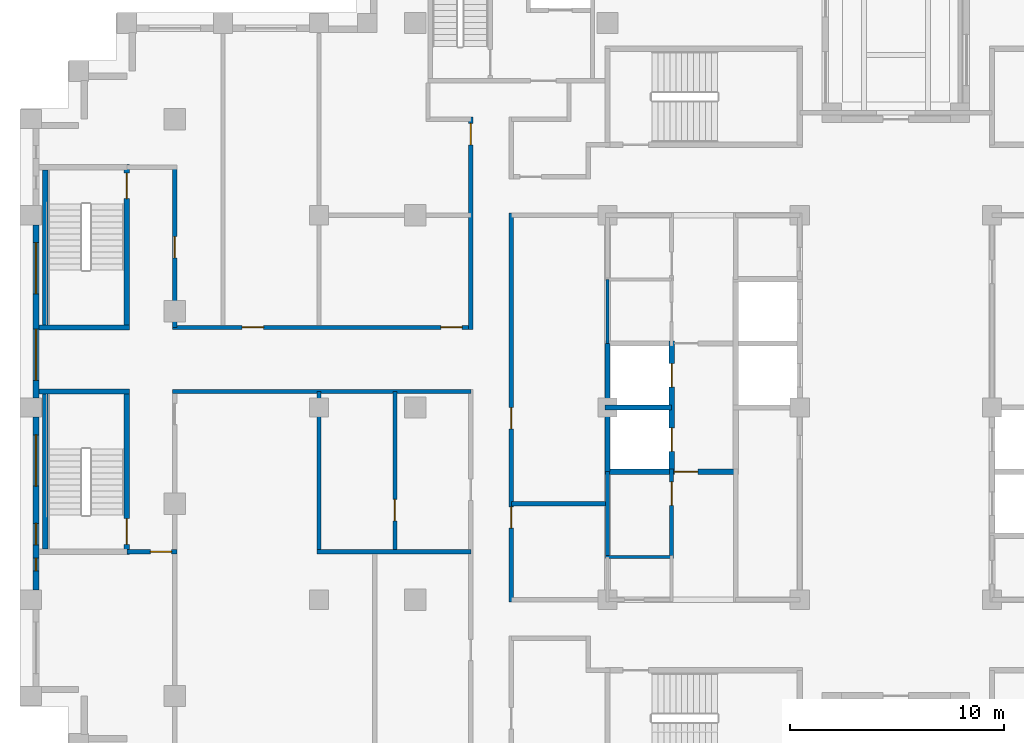
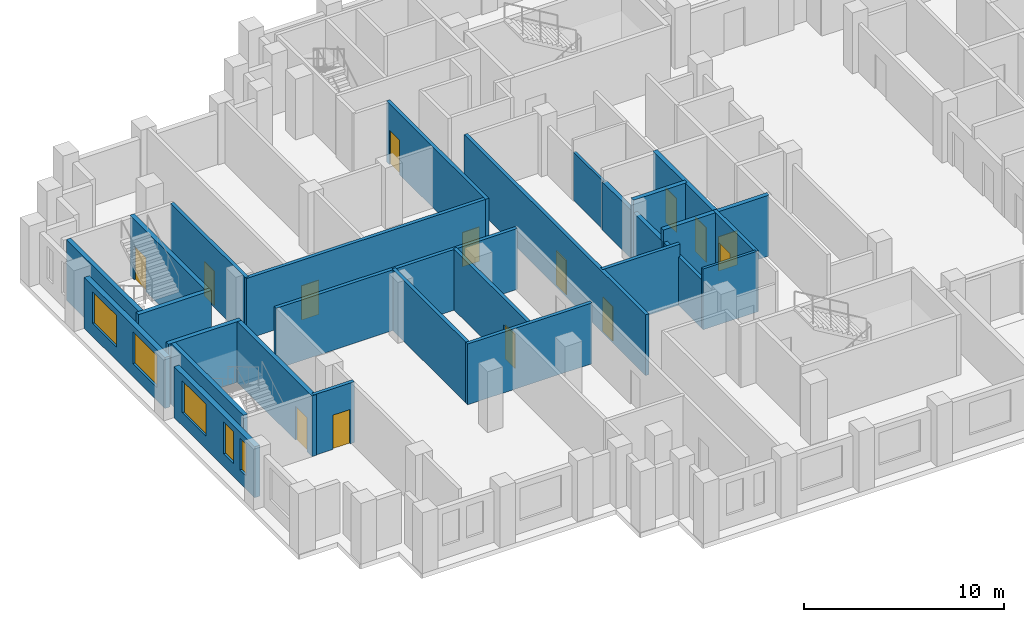
# One storey, part 3 of 12: 26 walls, 14 doors, 5 windows, 19 openings.
"""IFC4 building model written with IfcOpenShell, lengths in metres."""

from ifc_helpers import new_model, si_unit, direction, frame, frame_2d, origin, place, context, subcontext, project, spatial, rectangle, extrude, material, layer, layer_set, type_object, element, fill, save


model = new_model("IFC4")

# Units and contexts
model_context = context("Model", 3, precision=1e-05, world=origin(), true_north=direction((0.0, 1.0)))
body_context = subcontext(model_context, "Body", "Model", "MODEL_VIEW")
ifc_project = project(units=[si_unit("LENGTHUNIT", "METRE"), si_unit("AREAUNIT", "SQUARE_METRE"), si_unit("VOLUMEUNIT", "CUBIC_METRE"), si_unit("PLANEANGLEUNIT", "RADIAN"), si_unit("MASSUNIT", "GRAM", prefix="KILO")], contexts=[model_context])

# Site, building, storey
site_placement = place(None, origin())
site = spatial("IfcSite", under=ifc_project, at=site_placement, CompositionType="ELEMENT")
building_placement = place(site_placement, origin())
building = spatial("IfcBuilding", under=site, at=building_placement, Name="Corbelhall Arena Tower", CompositionType="ELEMENT")
storey_placement = place(building_placement, frame((0.0, 0.0, 184.0)))
storey = spatial("IfcBuildingStorey", under=building, at=storey_placement, Name="L37", CompositionType="ELEMENT", Elevation=184.0)

# Wall, openings, windows
ifc_material_1 = material(Name="Precast concrete C40/50 with granite facing", Category="masonry")
ifc_layer_1 = layer(ifc_material_1, 0.300048828125)
ifc_layer_set_1 = layer_set([ifc_layer_1], Name="EV-IW1 Infill panel 300")
wall_type_1 = type_object("IfcWallType", Name="EV-IW1 Infill panel 300", PredefinedType="SOLIDWALL", material=ifc_layer_set_1)
wall_1_placement = place(storey_placement, frame((-40.25, 8.550048828125, 0.0), z_axis=(0.0, 0.0, 1.0), x_axis=(0.0, -1.0, 0.0)))
wall_1 = element("IfcWall", 1, at=wall_1_placement, inside=storey, type_object=wall_type_1, Name="Infill panel IW1", PredefinedType="SOLIDWALL", context=body_context, shape_type="SweptSolid", body=[
    extrude(rectangle(XDim=8.10009765625, YDim=0.300048828125, at=frame_2d((4.050048828125, 0.0))), origin(), (0.0, 0.0, 1.0), 3.1201171875),
])
opening_1_placement = place(wall_1_placement, frame((0.824951171875, 0.0, 0.800048828125)))
opening_1 = element("IfcOpeningElement", 2, at=opening_1_placement, cuts=wall_1, Name="Opening WN1", PredefinedType="OPENING", context=body_context, shape_type="SweptSolid", body=[
    extrude(rectangle(XDim=2.39990234375, YDim=1.949951171875, at=frame_2d((1.199951171875, 0.97509765625))), frame((0.0, 0.14990234375, 0.0), z_axis=(0.0, -1.0, 0.0), x_axis=(1.0, 0.0, 0.0)), (0.0, 0.0, 1.0), 0.300048828125),
])
opening_2_placement = place(wall_1_placement, frame((4.875, 0.0, 0.800048828125)))
opening_2 = element("IfcOpeningElement", 3, at=opening_2_placement, cuts=wall_1, Name="Opening WN1", PredefinedType="OPENING", context=body_context, shape_type="SweptSolid", body=[
    extrude(rectangle(XDim=2.39990234375, YDim=1.949951171875, at=frame_2d((1.199951171875, 0.97509765625))), frame((0.0, 0.14990234375, 0.0), z_axis=(0.0, -1.0, 0.0), x_axis=(1.0, 0.0, 0.0)), (0.0, 0.0, 1.0), 0.300048828125),
])
ifc_material_2 = material(Name="Aluminium black anodised", Category="aluminium")
window_type_1 = type_object("IfcWindowType", Name="EV-WN1 Office window", PartitioningType="SINGLE_PANEL", PredefinedType="WINDOW", material=ifc_material_2)
window_1_placement = place(opening_1_placement, origin())
window_1 = element("IfcWindow", 4, at=window_1_placement, inside=storey, type_object=window_type_1, Name="Window WN1", OverallHeight=1.949951171875, OverallWidth=2.39990234375, PartitioningType="SINGLE_PANEL", PredefinedType="WINDOW", context=body_context, shape_type="SweptSolid", body=[
    extrude(rectangle(XDim=2.39990234375, YDim=1.949951171875, at=frame_2d((1.199951171875, 0.97509765625))), frame((0.0, 0.030029296875, 0.0), z_axis=(0.0, -1.0, 0.0), x_axis=(1.0, 0.0, 0.0)), (0.0, 0.0, 1.0), 0.06005859375),
])
fill(opening_1, window_1)
window_2_placement = place(opening_2_placement, origin())
window_2 = element("IfcWindow", 5, at=window_2_placement, inside=storey, type_object=window_type_1, Name="Window WN1", OverallHeight=1.949951171875, OverallWidth=2.39990234375, PartitioningType="SINGLE_PANEL", PredefinedType="WINDOW", context=body_context, shape_type="SweptSolid", body=[
    extrude(rectangle(XDim=2.39990234375, YDim=1.949951171875, at=frame_2d((1.199951171875, 0.97509765625))), frame((0.0, 0.030029296875, 0.0), z_axis=(0.0, -1.0, 0.0), x_axis=(1.0, 0.0, 0.0)), (0.0, 0.0, 1.0), 0.06005859375),
])
fill(opening_2, window_2)

wall_2_placement = place(storey_placement, frame((-40.25, -0.449951171875, 0.0), z_axis=(0.0, 0.0, 1.0), x_axis=(0.0, -1.0, 0.0)))
wall_2 = element("IfcWall", 6, at=wall_2_placement, inside=storey, type_object=wall_type_1, Name="Infill panel IW1", PredefinedType="SOLIDWALL", context=body_context, shape_type="SweptSolid", body=[
    extrude(rectangle(XDim=8.10009765625, YDim=0.300048828125, at=frame_2d((4.050048828125, 0.0))), origin(), (0.0, 0.0, 1.0), 3.1201171875),
])
opening_3_placement = place(wall_2_placement, frame((0.824951171875, 0.0, 0.800048828125)))
opening_3 = element("IfcOpeningElement", 7, at=opening_3_placement, cuts=wall_2, Name="Opening WN1", PredefinedType="OPENING", context=body_context, shape_type="SweptSolid", body=[
    extrude(rectangle(XDim=2.39990234375, YDim=1.949951171875, at=frame_2d((1.199951171875, 0.97509765625))), frame((0.0, 0.14990234375, 0.0), z_axis=(0.0, -1.0, 0.0), x_axis=(1.0, 0.0, 0.0)), (0.0, 0.0, 1.0), 0.300048828125),
])
opening_4_placement = place(wall_2_placement, frame((4.97509765625, 0.0, 0.800048828125)))
opening_4 = element("IfcOpeningElement", 8, at=opening_4_placement, cuts=wall_2, Name="Opening WN6", PredefinedType="OPENING", context=body_context, shape_type="SweptSolid", body=[
    extrude(rectangle(XDim=1.0, YDim=1.949951171875, at=frame_2d((0.5, 0.97509765625))), frame((0.0, 0.14990234375, 0.0), z_axis=(0.0, -1.0, 0.0), x_axis=(1.0, 0.0, 0.0)), (0.0, 0.0, 1.0), 0.300048828125),
])
opening_5_placement = place(wall_2_placement, frame((6.60009765625, 0.0, 0.800048828125)))
opening_5 = element("IfcOpeningElement", 9, at=opening_5_placement, cuts=wall_2, Name="Opening WN5", PredefinedType="OPENING", context=body_context, shape_type="SweptSolid", body=[
    extrude(rectangle(XDim=0.60009765625, YDim=1.949951171875, at=frame_2d((0.300048828125, 0.97509765625))), frame((0.0, 0.14990234375, 0.0), z_axis=(0.0, -1.0, 0.0), x_axis=(1.0, 0.0, 0.0)), (0.0, 0.0, 1.0), 0.300048828125),
])
window_3_placement = place(opening_3_placement, origin())
window_3 = element("IfcWindow", 10, at=window_3_placement, inside=storey, type_object=window_type_1, Name="Window WN1", OverallHeight=1.949951171875, OverallWidth=2.39990234375, PartitioningType="SINGLE_PANEL", PredefinedType="WINDOW", context=body_context, shape_type="SweptSolid", body=[
    extrude(rectangle(XDim=2.39990234375, YDim=1.949951171875, at=frame_2d((1.199951171875, 0.97509765625))), frame((0.0, 0.030029296875, 0.0), z_axis=(0.0, -1.0, 0.0), x_axis=(1.0, 0.0, 0.0)), (0.0, 0.0, 1.0), 0.06005859375),
])
fill(opening_3, window_3)
window_type_2 = type_object("IfcWindowType", Name="EV-WN5 Office window 600", PartitioningType="SINGLE_PANEL", PredefinedType="WINDOW", material=ifc_material_2)
window_4_placement = place(opening_5_placement, origin())
window_4 = element("IfcWindow", 11, at=window_4_placement, inside=storey, type_object=window_type_2, Name="Window WN5", OverallHeight=1.949951171875, OverallWidth=0.60009765625, PartitioningType="SINGLE_PANEL", PredefinedType="WINDOW", context=body_context, shape_type="SweptSolid", body=[
    extrude(rectangle(XDim=0.60009765625, YDim=1.949951171875, at=frame_2d((0.300048828125, 0.97509765625))), frame((0.0, 0.030029296875, 0.0), z_axis=(0.0, -1.0, 0.0), x_axis=(1.0, 0.0, 0.0)), (0.0, 0.0, 1.0), 0.06005859375),
])
fill(opening_5, window_4)
window_type_3 = type_object("IfcWindowType", Name="EV-WN6 Office window 1000", PartitioningType="SINGLE_PANEL", PredefinedType="WINDOW", material=ifc_material_2)
window_5_placement = place(opening_4_placement, origin())
window_5 = element("IfcWindow", 12, at=window_5_placement, inside=storey, type_object=window_type_3, Name="Window WN6", OverallHeight=1.949951171875, OverallWidth=1.0, PartitioningType="SINGLE_PANEL", PredefinedType="WINDOW", context=body_context, shape_type="SweptSolid", body=[
    extrude(rectangle(XDim=1.0, YDim=1.949951171875, at=frame_2d((0.5, 0.97509765625))), frame((0.0, 0.030029296875, 0.0), z_axis=(0.0, -1.0, 0.0), x_axis=(1.0, 0.0, 0.0)), (0.0, 0.0, 1.0), 0.06005859375),
])
fill(opening_4, window_5)

# Wall, openings, doors
ifc_material_3 = material(Name="Gypsum board on steel stud, acoustic", Category="steel")
ifc_layer_2 = layer(ifc_material_3, 0.199951171875)
ifc_layer_set_2 = layer_set([ifc_layer_2], Name="IN-W-DM200")
wall_type_2 = type_object("IfcWallType", Name="IN-W-DM200", PredefinedType="PARTITIONING", material=ifc_layer_set_2)
wall_3_placement = place(storey_placement, frame((-33.85009765625, 3.75, 0.0), z_axis=(0.0, 0.0, 1.0), x_axis=(1.0, 0.0, 0.0)))
wall_3 = element("IfcWall", 13, at=wall_3_placement, inside=storey, type_object=wall_type_2, Name="Partition 002", PredefinedType="PARTITIONING", context=body_context, shape_type="SweptSolid", body=[
    extrude(rectangle(XDim=13.9501953125, YDim=0.199951171875, at=frame_2d((6.97509765625, 0.0))), origin(), (0.0, 0.0, 1.0), 3.719970703125),
])
opening_6_placement = place(wall_3_placement, frame((12.550048828125, 0.0, 0.0)))
opening_6 = element("IfcOpeningElement", 14, at=opening_6_placement, cuts=wall_3, Name="Opening 11030", PredefinedType="OPENING", context=body_context, shape_type="SweptSolid", body=[
    extrude(rectangle(XDim=1.0, YDim=2.10009765625, at=frame_2d((0.5, 1.050048828125))), frame((0.0, 0.10009765625, 0.0), z_axis=(0.0, -1.0, 0.0), x_axis=(1.0, 0.0, 0.0)), (0.0, 0.0, 1.0), 0.199951171875),
])
opening_7_placement = place(wall_3_placement, frame((3.25, 0.0, 0.0)))
opening_7 = element("IfcOpeningElement", 15, at=opening_7_placement, cuts=wall_3, Name="Opening 11041", PredefinedType="OPENING", context=body_context, shape_type="SweptSolid", body=[
    extrude(rectangle(XDim=1.0, YDim=2.10009765625, at=frame_2d((0.5, 1.050048828125))), frame((0.0, 0.10009765625, 0.0), z_axis=(0.0, -1.0, 0.0), x_axis=(1.0, 0.0, 0.0)), (0.0, 0.0, 1.0), 0.199951171875),
])
ifc_material_4 = material(Name="Steel door set", Category="steel")
door_type_1 = type_object("IfcDoorType", Name="IN-D-SW100", OperationType="NOTDEFINED", PredefinedType="DOOR", material=ifc_material_4)
door_1_placement = place(opening_6_placement, origin())
door_1 = element("IfcDoor", 16, at=door_1_placement, inside=storey, type_object=door_type_1, Name="Door 030", OperationType="SINGLE_SWING_LEFT", OverallHeight=2.10009765625, OverallWidth=1.0, PredefinedType="DOOR", context=body_context, shape_type="SweptSolid", body=[
    extrude(rectangle(XDim=1.0, YDim=2.10009765625, at=frame_2d((0.5, 1.050048828125))), frame((0.0, 0.02490234375, 0.0), z_axis=(0.0, -1.0, 0.0), x_axis=(1.0, 0.0, 0.0)), (0.0, 0.0, 1.0), 0.050048828125),
])
fill(opening_6, door_1)
door_2_placement = place(opening_7_placement, origin())
door_2 = element("IfcDoor", 17, at=door_2_placement, inside=storey, type_object=door_type_1, Name="Door 041", OperationType="SINGLE_SWING_RIGHT", OverallHeight=2.10009765625, OverallWidth=1.0, PredefinedType="DOOR", context=body_context, shape_type="SweptSolid", body=[
    extrude(rectangle(XDim=1.0, YDim=2.10009765625, at=frame_2d((0.5, 1.050048828125))), frame((0.0, 0.02490234375, 0.0), z_axis=(0.0, -1.0, 0.0), x_axis=(1.0, 0.0, 0.0)), (0.0, 0.0, 1.0), 0.050048828125),
])
fill(opening_7, door_2)

# Wall, opening, door
wall_4_placement = place(storey_placement, frame((-33.75, 11.25, 0.0), z_axis=(0.0, 0.0, 1.0), x_axis=(0.0, -1.0, 0.0)))
wall_4 = element("IfcWall", 18, at=wall_4_placement, inside=storey, type_object=wall_type_2, Name="Partition 004", PredefinedType="PARTITIONING", context=body_context, shape_type="SweptSolid", body=[
    extrude(rectangle(XDim=7.5, YDim=0.199951171875, at=frame_2d((3.75, 0.0))), origin(), (0.0, 0.0, 1.0), 3.719970703125),
])
opening_8_placement = place(wall_4_placement, frame((3.25, 0.0, 0.0)))
opening_8 = element("IfcOpeningElement", 19, at=opening_8_placement, cuts=wall_4, Name="Opening 11040", PredefinedType="OPENING", context=body_context, shape_type="SweptSolid", body=[
    extrude(rectangle(XDim=1.0, YDim=2.10009765625, at=frame_2d((0.5, 1.050048828125))), frame((0.0, 0.10009765625, 0.0), z_axis=(0.0, -1.0, 0.0), x_axis=(1.0, 0.0, 0.0)), (0.0, 0.0, 1.0), 0.199951171875),
])
door_3_placement = place(opening_8_placement, origin())
door_3 = element("IfcDoor", 20, at=door_3_placement, inside=storey, type_object=door_type_1, Name="Door 040", OperationType="SINGLE_SWING_LEFT", OverallHeight=2.10009765625, OverallWidth=1.0, PredefinedType="DOOR", context=body_context, shape_type="SweptSolid", body=[
    extrude(rectangle(XDim=1.0, YDim=2.10009765625, at=frame_2d((0.5, 1.050048828125))), frame((0.0, 0.02490234375, 0.0), z_axis=(0.0, -1.0, 0.0), x_axis=(1.0, 0.0, 0.0)), (0.0, 0.0, 1.0), 0.050048828125),
])
fill(opening_8, door_3)

wall_5_placement = place(storey_placement, frame((-33.64990234375, -6.75, 0.0), z_axis=(0.0, 0.0, 1.0), x_axis=(-1.0, 0.0, 0.0)))
wall_5 = element("IfcWall", 21, at=wall_5_placement, inside=storey, type_object=wall_type_2, Name="Partition 005", PredefinedType="PARTITIONING", context=body_context, shape_type="SweptSolid", body=[
    extrude(rectangle(XDim=2.35009765625, YDim=0.199951171875, at=frame_2d((1.175048828125, 0.0))), origin(), (0.0, 0.0, 1.0), 3.719970703125),
])
opening_9_placement = place(wall_5_placement, frame((0.25, 0.0, 0.0)))
opening_9 = element("IfcOpeningElement", 22, at=opening_9_placement, cuts=wall_5, Name="Opening 11042", PredefinedType="OPENING", context=body_context, shape_type="SweptSolid", body=[
    extrude(rectangle(XDim=1.0, YDim=2.10009765625, at=frame_2d((0.5, 1.050048828125))), frame((0.0, 0.10009765625, 0.0), z_axis=(0.0, -1.0, 0.0), x_axis=(1.0, 0.0, 0.0)), (0.0, 0.0, 1.0), 0.199951171875),
])
door_4_placement = place(opening_9_placement, origin())
door_4 = element("IfcDoor", 23, at=door_4_placement, inside=storey, type_object=door_type_1, Name="Door 042", OperationType="SINGLE_SWING_LEFT", OverallHeight=2.10009765625, OverallWidth=1.0, PredefinedType="DOOR", context=body_context, shape_type="SweptSolid", body=[
    extrude(rectangle(XDim=1.0, YDim=2.10009765625, at=frame_2d((0.5, 1.050048828125))), frame((0.0, 0.02490234375, 0.0), z_axis=(0.0, -1.0, 0.0), x_axis=(1.0, 0.0, 0.0)), (0.0, 0.0, 1.0), 0.050048828125),
])
fill(opening_9, door_4)

# Walls
wall_6_placement = place(storey_placement, frame((-27.0, -6.75, 0.0), z_axis=(0.0, 0.0, 1.0), x_axis=(0.0, 1.0, 0.0)))
element("IfcWall", 24, at=wall_6_placement, inside=storey, type_object=wall_type_2, Name="Partition 008", PredefinedType="PARTITIONING", context=body_context, shape_type="SweptSolid", body=[
    extrude(rectangle(XDim=7.5, YDim=0.199951171875, at=frame_2d((3.75, 0.0))), origin(), (0.0, 0.0, 1.0), 3.719970703125),
])
wall_7_placement = place(storey_placement, frame((-19.89990234375, 0.75, 0.0), z_axis=(0.0, 0.0, 1.0), x_axis=(-1.0, 0.0, 0.0)))
element("IfcWall", 25, at=wall_7_placement, inside=storey, type_object=wall_type_2, Name="Partition 010", PredefinedType="PARTITIONING", context=body_context, shape_type="SweptSolid", body=[
    extrude(rectangle(XDim=13.9501953125, YDim=0.199951171875, at=frame_2d((6.97509765625, 0.0))), origin(), (0.0, 0.0, 1.0), 3.719970703125),
])
wall_8_placement = place(storey_placement, frame((-27.10009765625, -6.75, 0.0), z_axis=(0.0, 0.0, 1.0), x_axis=(1.0, 0.0, 0.0)))
element("IfcWall", 26, at=wall_8_placement, inside=storey, type_object=wall_type_2, Name="Partition 012", PredefinedType="PARTITIONING", context=body_context, shape_type="SweptSolid", body=[
    extrude(rectangle(XDim=7.2001953125, YDim=0.199951171875, at=frame_2d((3.60009765625, 0.0))), origin(), (0.0, 0.0, 1.0), 3.719970703125),
])

# Wall, opening, door
wall_9_placement = place(storey_placement, frame((-23.449951171875, -6.75, 0.0), z_axis=(0.0, 0.0, 1.0), x_axis=(0.0, 1.0, 0.0)))
wall_9 = element("IfcWall", 27, at=wall_9_placement, inside=storey, type_object=wall_type_2, Name="Partition 014", PredefinedType="PARTITIONING", context=body_context, shape_type="SweptSolid", body=[
    extrude(rectangle(XDim=7.5, YDim=0.199951171875, at=frame_2d((3.75, 0.0))), origin(), (0.0, 0.0, 1.0), 3.719970703125),
])
opening_10_placement = place(wall_9_placement, frame((1.449951171875, 0.0, 0.0)))
opening_10 = element("IfcOpeningElement", 28, at=opening_10_placement, cuts=wall_9, Name="Opening 11035", PredefinedType="OPENING", context=body_context, shape_type="SweptSolid", body=[
    extrude(rectangle(XDim=1.0, YDim=2.10009765625, at=frame_2d((0.5, 1.050048828125))), frame((0.0, 0.10009765625, 0.0), z_axis=(0.0, -1.0, 0.0), x_axis=(1.0, 0.0, 0.0)), (0.0, 0.0, 1.0), 0.199951171875),
])
door_5_placement = place(opening_10_placement, origin())
door_5 = element("IfcDoor", 29, at=door_5_placement, inside=storey, type_object=door_type_1, Name="Door 035", OperationType="SINGLE_SWING_RIGHT", OverallHeight=2.10009765625, OverallWidth=1.0, PredefinedType="DOOR", context=body_context, shape_type="SweptSolid", body=[
    extrude(rectangle(XDim=1.0, YDim=2.10009765625, at=frame_2d((0.5, 1.050048828125))), frame((0.0, 0.02490234375, 0.0), z_axis=(0.0, -1.0, 0.0), x_axis=(1.0, 0.0, 0.0)), (0.0, 0.0, 1.0), 0.050048828125),
])
fill(opening_10, door_5)

wall_10_placement = place(storey_placement, frame((-19.89990234375, 3.64990234375, 0.0), z_axis=(0.0, 0.0, 1.0), x_axis=(0.0, 1.0, 0.0)))
wall_10 = element("IfcWall", 30, at=wall_10_placement, inside=storey, type_object=wall_type_2, Name="Partition 017", PredefinedType="PARTITIONING", context=body_context, shape_type="SweptSolid", body=[
    extrude(rectangle(XDim=9.9501953125, YDim=0.199951171875, at=frame_2d((4.97509765625, 0.0))), origin(), (0.0, 0.0, 1.0), 3.719970703125),
])
opening_11_placement = place(wall_10_placement, frame((8.64990234375, 0.0, 0.0)))
opening_11 = element("IfcOpeningElement", 31, at=opening_11_placement, cuts=wall_10, Name="Opening 11031", PredefinedType="OPENING", context=body_context, shape_type="SweptSolid", body=[
    extrude(rectangle(XDim=1.0, YDim=2.10009765625, at=frame_2d((0.5, 1.050048828125))), frame((0.0, 0.10009765625, 0.0), z_axis=(0.0, -1.0, 0.0), x_axis=(1.0, 0.0, 0.0)), (0.0, 0.0, 1.0), 0.199951171875),
])
door_6_placement = place(opening_11_placement, origin())
door_6 = element("IfcDoor", 32, at=door_6_placement, inside=storey, type_object=door_type_1, Name="Door 031", OperationType="SINGLE_SWING_RIGHT", OverallHeight=2.10009765625, OverallWidth=1.0, PredefinedType="DOOR", context=body_context, shape_type="SweptSolid", body=[
    extrude(rectangle(XDim=1.0, YDim=2.10009765625, at=frame_2d((0.5, 1.050048828125))), frame((0.0, 0.02490234375, 0.0), z_axis=(0.0, -1.0, 0.0), x_axis=(1.0, 0.0, 0.0)), (0.0, 0.0, 1.0), 0.050048828125),
])
fill(opening_11, door_6)

# Wall
wall_11_placement = place(storey_placement, frame((-18.0, -4.5, 0.0), z_axis=(0.0, 0.0, 1.0), x_axis=(1.0, 0.0, 0.0)))
element("IfcWall", 33, at=wall_11_placement, inside=storey, type_object=wall_type_2, Name="Partition 021", PredefinedType="PARTITIONING", context=body_context, shape_type="SweptSolid", body=[
    extrude(rectangle(XDim=4.5, YDim=0.199951171875, at=frame_2d((2.25, 0.0))), origin(), (0.0, 0.0, 1.0), 3.719970703125),
])

# Wall, openings, doors
wall_12_placement = place(storey_placement, frame((-18.0, 9.10009765625, 0.0), z_axis=(0.0, 0.0, 1.0), x_axis=(0.0, -1.0, 0.0)))
wall_12 = element("IfcWall", 34, at=wall_12_placement, inside=storey, type_object=wall_type_2, Name="Partition 022", PredefinedType="PARTITIONING", context=body_context, shape_type="SweptSolid", body=[
    extrude(rectangle(XDim=18.2001953125, YDim=0.199951171875, at=frame_2d((9.10009765625, 0.0))), origin(), (0.0, 0.0, 1.0), 3.719970703125),
])
opening_12_placement = place(wall_12_placement, frame((13.75, 0.0, 0.0)))
opening_12 = element("IfcOpeningElement", 35, at=opening_12_placement, cuts=wall_12, Name="Opening 11022", PredefinedType="OPENING", context=body_context, shape_type="SweptSolid", body=[
    extrude(rectangle(XDim=1.0, YDim=2.10009765625, at=frame_2d((0.5, 1.050048828125))), frame((0.0, 0.10009765625, 0.0), z_axis=(0.0, -1.0, 0.0), x_axis=(1.0, 0.0, 0.0)), (0.0, 0.0, 1.0), 0.199951171875),
])
opening_13_placement = place(wall_12_placement, frame((9.10009765625, 0.0, 0.0)))
opening_13 = element("IfcOpeningElement", 36, at=opening_13_placement, cuts=wall_12, Name="Opening 11023", PredefinedType="OPENING", context=body_context, shape_type="SweptSolid", body=[
    extrude(rectangle(XDim=1.0, YDim=2.10009765625, at=frame_2d((0.5, 1.050048828125))), frame((0.0, 0.10009765625, 0.0), z_axis=(0.0, -1.0, 0.0), x_axis=(1.0, 0.0, 0.0)), (0.0, 0.0, 1.0), 0.199951171875),
])
door_7_placement = place(opening_12_placement, origin())
door_7 = element("IfcDoor", 37, at=door_7_placement, inside=storey, type_object=door_type_1, Name="Door 022", OperationType="SINGLE_SWING_LEFT", OverallHeight=2.10009765625, OverallWidth=1.0, PredefinedType="DOOR", context=body_context, shape_type="SweptSolid", body=[
    extrude(rectangle(XDim=1.0, YDim=2.10009765625, at=frame_2d((0.5, 1.050048828125))), frame((0.0, 0.02490234375, 0.0), z_axis=(0.0, -1.0, 0.0), x_axis=(1.0, 0.0, 0.0)), (0.0, 0.0, 1.0), 0.050048828125),
])
fill(opening_12, door_7)
door_8_placement = place(opening_13_placement, origin())
door_8 = element("IfcDoor", 38, at=door_8_placement, inside=storey, type_object=door_type_1, Name="Door 023", OperationType="SINGLE_SWING_RIGHT", OverallHeight=2.10009765625, OverallWidth=1.0, PredefinedType="DOOR", context=body_context, shape_type="SweptSolid", body=[
    extrude(rectangle(XDim=1.0, YDim=2.10009765625, at=frame_2d((0.5, 1.050048828125))), frame((0.0, 0.02490234375, 0.0), z_axis=(0.0, -1.0, 0.0), x_axis=(1.0, 0.0, 0.0)), (0.0, 0.0, 1.0), 0.050048828125),
])
fill(opening_13, door_8)

# Wall, opening, door
ifc_material_5 = material(Name="Concrete block wall", Category="concrete")
ifc_layer_3 = layer(ifc_material_5, 0.199951171875)
ifc_layer_set_3 = layer_set([ifc_layer_3], Name="IN-W-RS200")
wall_type_3 = type_object("IfcWallType", Name="IN-W-RS200", PredefinedType="SOLIDWALL", material=ifc_layer_set_3)
wall_13_placement = place(storey_placement, frame((-10.5, -7.074951171875, 0.0), z_axis=(0.0, 0.0, 1.0), x_axis=(0.0, 1.0, 0.0)))
wall_13 = element("IfcWall", 39, at=wall_13_placement, inside=storey, type_object=wall_type_3, Name="Partition 053", PredefinedType="SOLIDWALL", context=body_context, shape_type="SweptSolid", body=[
    extrude(rectangle(XDim=4.199951171875, YDim=0.199951171875, at=frame_2d((2.10009765625, 0.0))), origin(), (0.0, 0.0, 1.0), 3.719970703125),
])
opening_14_placement = place(wall_13_placement, frame((2.5, 0.0, 0.0)))
opening_14 = element("IfcOpeningElement", 40, at=opening_14_placement, cuts=wall_13, Name="Opening 11006", PredefinedType="OPENING", context=body_context, shape_type="SweptSolid", body=[
    extrude(rectangle(XDim=1.10009765625, YDim=2.10009765625, at=frame_2d((0.550048828125, 1.050048828125))), frame((0.0, 0.10009765625, 0.0), z_axis=(0.0, -1.0, 0.0), x_axis=(1.0, 0.0, 0.0)), (0.0, 0.0, 1.0), 0.199951171875),
])
door_type_2 = type_object("IfcDoorType", Name="IN-D-FD110", OperationType="NOTDEFINED", PredefinedType="DOOR", material=ifc_material_4)
door_9_placement = place(opening_14_placement, origin())
door_9 = element("IfcDoor", 41, at=door_9_placement, inside=storey, type_object=door_type_2, Name="Door 006", OperationType="SINGLE_SWING_LEFT", OverallHeight=2.10009765625, OverallWidth=1.10009765625, PredefinedType="DOOR", context=body_context, shape_type="SweptSolid", body=[
    extrude(rectangle(XDim=1.10009765625, YDim=2.10009765625, at=frame_2d((0.550048828125, 1.050048828125))), frame((0.0, 0.02490234375, 0.0), z_axis=(0.0, -1.0, 0.0), x_axis=(1.0, 0.0, 0.0)), (0.0, 0.0, 1.0), 0.050048828125),
])
fill(opening_14, door_9)

# Walls
ifc_layer_4 = layer(ifc_material_5, 0.199951171875)
ifc_layer_set_4 = layer_set([ifc_layer_4], Name="IN-W-RS200 under beam 762 mm")
wall_type_4 = type_object("IfcWallType", Name="IN-W-RS200 under beam 762 mm", PredefinedType="SOLIDWALL", material=ifc_layer_set_4)
wall_14_placement = place(storey_placement, frame((-13.5, -7.0, 0.0), z_axis=(0.0, 0.0, 1.0), x_axis=(0.0, 1.0, 0.0)))
element("IfcWall", 42, at=wall_14_placement, inside=storey, type_object=wall_type_4, Name="Partition 051", PredefinedType="SOLIDWALL", context=body_context, shape_type="SweptSolid", body=[
    extrude(rectangle(XDim=4.0, YDim=0.199951171875, at=frame_2d((2.0, 0.0))), origin(), (0.0, 0.0, 1.0), 2.9580078125),
])
ifc_material_6 = material(Name="Concrete C40/50", Category="concrete")
ifc_layer_5 = layer(ifc_material_6, 0.25)
ifc_layer_set_5 = layer_set([ifc_layer_5], Name="IN-W-SH250")
wall_type_5 = type_object("IfcWallType", Name="IN-W-SH250", PredefinedType="SOLIDWALL", material=ifc_layer_set_5)
wall_15_placement = place(storey_placement, frame((-13.625, 0.0, 0.0), z_axis=(0.0, 0.0, 1.0), x_axis=(1.0, 0.0, 0.0)))
element("IfcWall", 43, at=wall_15_placement, inside=storey, type_object=wall_type_5, Name="Shaft wall 072", PredefinedType="SOLIDWALL", context=body_context, shape_type="SweptSolid", body=[
    extrude(rectangle(XDim=3.125, YDim=0.25, at=frame_2d((1.5625, 0.0))), origin(), (0.0, 0.0, 1.0), 3.719970703125),
])

# Wall, opening, door
wall_16_placement = place(storey_placement, frame((-13.625, -3.0, 0.0), z_axis=(0.0, 0.0, 1.0), x_axis=(1.0, 0.0, 0.0)))
wall_16 = element("IfcWall", 44, at=wall_16_placement, inside=storey, type_object=wall_type_5, Name="Shaft wall 075", PredefinedType="SOLIDWALL", context=body_context, shape_type="SweptSolid", body=[
    extrude(rectangle(XDim=6.125, YDim=0.25, at=frame_2d((3.0625, 0.0))), origin(), (0.0, 0.0, 1.0), 3.719970703125),
])
opening_15_placement = place(wall_16_placement, frame((3.25, 0.0, 0.0)))
opening_15 = element("IfcOpeningElement", 45, at=opening_15_placement, cuts=wall_16, Name="Opening 11003", PredefinedType="OPENING", context=body_context, shape_type="SweptSolid", body=[
    extrude(rectangle(XDim=1.10009765625, YDim=2.10009765625, at=frame_2d((0.550048828125, 1.050048828125))), frame((0.0, 0.125, 0.0), z_axis=(0.0, -1.0, 0.0), x_axis=(1.0, 0.0, 0.0)), (0.0, 0.0, 1.0), 0.25),
])
door_10_placement = place(opening_15_placement, origin())
door_10 = element("IfcDoor", 46, at=door_10_placement, inside=storey, type_object=door_type_2, Name="Door 003", OperationType="SINGLE_SWING_RIGHT", OverallHeight=2.10009765625, OverallWidth=1.10009765625, PredefinedType="DOOR", context=body_context, shape_type="SweptSolid", body=[
    extrude(rectangle(XDim=1.10009765625, YDim=2.10009765625, at=frame_2d((0.550048828125, 1.050048828125))), frame((0.0, 0.02490234375, 0.0), z_axis=(0.0, -1.0, 0.0), x_axis=(1.0, 0.0, 0.0)), (0.0, 0.0, 1.0), 0.050048828125),
])
fill(opening_15, door_10)

# Wall, openings, doors
wall_17_placement = place(storey_placement, frame((-10.5, -3.125, 0.0), z_axis=(0.0, 0.0, 1.0), x_axis=(0.0, 1.0, 0.0)))
wall_17 = element("IfcWall", 47, at=wall_17_placement, inside=storey, type_object=wall_type_5, Name="Shaft wall 076", PredefinedType="SOLIDWALL", context=body_context, shape_type="SweptSolid", body=[
    extrude(rectangle(XDim=6.25, YDim=0.25, at=frame_2d((3.125, 0.0))), origin(), (0.0, 0.0, 1.0), 3.719970703125),
])
opening_16_placement = place(wall_17_placement, frame((1.074951171875, 0.0, 0.0)))
opening_16 = element("IfcOpeningElement", 48, at=opening_16_placement, cuts=wall_17, Name="Opening LD", PredefinedType="OPENING", context=body_context, shape_type="SweptSolid", body=[
    extrude(rectangle(XDim=1.10009765625, YDim=2.10009765625, at=frame_2d((0.550048828125, 1.050048828125))), frame((0.0, 0.125, 0.0), z_axis=(0.0, -1.0, 0.0), x_axis=(1.0, 0.0, 0.0)), (0.0, 0.0, 1.0), 0.25),
])
opening_17_placement = place(wall_17_placement, frame((4.074951171875, 0.0, 0.0)))
opening_17 = element("IfcOpeningElement", 49, at=opening_17_placement, cuts=wall_17, Name="Opening LD", PredefinedType="OPENING", context=body_context, shape_type="SweptSolid", body=[
    extrude(rectangle(XDim=1.10009765625, YDim=2.10009765625, at=frame_2d((0.550048828125, 1.050048828125))), frame((0.0, 0.125, 0.0), z_axis=(0.0, -1.0, 0.0), x_axis=(1.0, 0.0, 0.0)), (0.0, 0.0, 1.0), 0.25),
])
door_type_3 = type_object("IfcDoorType", Name="IN-D-LD110", OperationType="NOTDEFINED", PredefinedType="DOOR", material=ifc_material_4)
door_11_placement = place(opening_16_placement, origin())
door_11 = element("IfcDoor", 50, at=door_11_placement, inside=storey, type_object=door_type_3, Name="Landing door W3", OperationType="SLIDING_TO_LEFT", OverallHeight=2.10009765625, OverallWidth=1.10009765625, PredefinedType="DOOR", context=body_context, shape_type="SweptSolid", body=[
    extrude(rectangle(XDim=1.10009765625, YDim=2.10009765625, at=frame_2d((0.550048828125, 1.050048828125))), frame((0.0, 0.02490234375, 0.0), z_axis=(0.0, -1.0, 0.0), x_axis=(1.0, 0.0, 0.0)), (0.0, 0.0, 1.0), 0.050048828125),
])
fill(opening_16, door_11)
door_12_placement = place(opening_17_placement, origin())
door_12 = element("IfcDoor", 51, at=door_12_placement, inside=storey, type_object=door_type_3, Name="Landing door W4", OperationType="SLIDING_TO_LEFT", OverallHeight=2.10009765625, OverallWidth=1.10009765625, PredefinedType="DOOR", context=body_context, shape_type="SweptSolid", body=[
    extrude(rectangle(XDim=1.10009765625, YDim=2.10009765625, at=frame_2d((0.550048828125, 1.050048828125))), frame((0.0, 0.02490234375, 0.0), z_axis=(0.0, -1.0, 0.0), x_axis=(1.0, 0.0, 0.0)), (0.0, 0.0, 1.0), 0.050048828125),
])
fill(opening_17, door_12)

# Walls
ifc_layer_6 = layer(ifc_material_6, 0.25)
ifc_layer_set_6 = layer_set([ifc_layer_6], Name="IN-W-SH250 under beam 762 mm")
wall_type_6 = type_object("IfcWallType", Name="IN-W-SH250 under beam 762 mm", PredefinedType="SOLIDWALL", material=ifc_layer_set_6)
wall_18_placement = place(storey_placement, frame((-13.5, -3.0, 0.0), z_axis=(0.0, 0.0, 1.0), x_axis=(0.0, 1.0, 0.0)))
element("IfcWall", 52, at=wall_18_placement, inside=storey, type_object=wall_type_6, Name="Shaft wall 074", PredefinedType="SOLIDWALL", context=body_context, shape_type="SweptSolid", body=[
    extrude(rectangle(XDim=6.0, YDim=0.25, at=frame_2d((3.0, 0.0))), origin(), (0.0, 0.0, 1.0), 2.9580078125),
])
ifc_layer_7 = layer(ifc_material_6, 0.25)
ifc_layer_set_7 = layer_set([ifc_layer_7], Name="IN-W-ST250")
wall_type_7 = type_object("IfcWallType", Name="IN-W-ST250", PredefinedType="SOLIDWALL", material=ifc_layer_set_7)
wall_19_placement = place(storey_placement, frame((-40.10009765625, 3.75, 0.0), z_axis=(0.0, 0.0, 1.0), x_axis=(1.0, 0.0, 0.0)))
element("IfcWall", 53, at=wall_19_placement, inside=storey, type_object=wall_type_7, Name="Shaft wall 091", PredefinedType="SOLIDWALL", context=body_context, shape_type="SweptSolid", body=[
    extrude(rectangle(XDim=4.22509765625, YDim=0.25, at=frame_2d((2.112548828125, 0.0))), origin(), (0.0, 0.0, 1.0), 3.719970703125),
])

# Wall, opening, door
wall_20_placement = place(storey_placement, frame((-36.0, 0.75, 0.0), z_axis=(0.0, 0.0, 1.0), x_axis=(0.0, -1.0, 0.0)))
wall_20 = element("IfcWall", 54, at=wall_20_placement, inside=storey, type_object=wall_type_7, Name="Shaft wall 094", PredefinedType="SOLIDWALL", context=body_context, shape_type="SweptSolid", body=[
    extrude(rectangle(XDim=7.625, YDim=0.25, at=frame_2d((3.8125, 0.0))), origin(), (0.0, 0.0, 1.0), 3.719970703125),
])
opening_18_placement = place(wall_20_placement, frame((5.949951171875, 0.0, 0.0)))
opening_18 = element("IfcOpeningElement", 55, at=opening_18_placement, cuts=wall_20, Name="Opening 11021", PredefinedType="OPENING", context=body_context, shape_type="SweptSolid", body=[
    extrude(rectangle(XDim=1.199951171875, YDim=2.10009765625, at=frame_2d((0.60009765625, 1.050048828125))), frame((0.0, 0.125, 0.0), z_axis=(0.0, -1.0, 0.0), x_axis=(1.0, 0.0, 0.0)), (0.0, 0.0, 1.0), 0.25),
])
door_type_4 = type_object("IfcDoorType", Name="IN-D-ST120", OperationType="NOTDEFINED", PredefinedType="DOOR", material=ifc_material_4)
door_13_placement = place(opening_18_placement, origin())
door_13 = element("IfcDoor", 56, at=door_13_placement, inside=storey, type_object=door_type_4, Name="Door 021", OperationType="SINGLE_SWING_RIGHT", OverallHeight=2.10009765625, OverallWidth=1.199951171875, PredefinedType="DOOR", context=body_context, shape_type="SweptSolid", body=[
    extrude(rectangle(XDim=1.199951171875, YDim=2.10009765625, at=frame_2d((0.60009765625, 1.050048828125))), frame((0.0, 0.02490234375, 0.0), z_axis=(0.0, -1.0, 0.0), x_axis=(1.0, 0.0, 0.0)), (0.0, 0.0, 1.0), 0.050048828125),
])
fill(opening_18, door_13)

wall_21_placement = place(storey_placement, frame((-36.0, 11.375, 0.0), z_axis=(0.0, 0.0, 1.0), x_axis=(0.0, -1.0, 0.0)))
wall_21 = element("IfcWall", 57, at=wall_21_placement, inside=storey, type_object=wall_type_7, Name="Shaft wall 095", PredefinedType="SOLIDWALL", context=body_context, shape_type="SweptSolid", body=[
    extrude(rectangle(XDim=7.625, YDim=0.25, at=frame_2d((3.8125, 0.0))), origin(), (0.0, 0.0, 1.0), 3.719970703125),
])
opening_19_placement = place(wall_21_placement, frame((0.39990234375, 0.0, 0.0)))
opening_19 = element("IfcOpeningElement", 58, at=opening_19_placement, cuts=wall_21, Name="Opening 11020", PredefinedType="OPENING", context=body_context, shape_type="SweptSolid", body=[
    extrude(rectangle(XDim=1.199951171875, YDim=2.10009765625, at=frame_2d((0.60009765625, 1.050048828125))), frame((0.0, 0.125, 0.0), z_axis=(0.0, -1.0, 0.0), x_axis=(1.0, 0.0, 0.0)), (0.0, 0.0, 1.0), 0.25),
])
door_14_placement = place(opening_19_placement, origin())
door_14 = element("IfcDoor", 59, at=door_14_placement, inside=storey, type_object=door_type_4, Name="Door 020", OperationType="SINGLE_SWING_LEFT", OverallHeight=2.10009765625, OverallWidth=1.199951171875, PredefinedType="DOOR", context=body_context, shape_type="SweptSolid", body=[
    extrude(rectangle(XDim=1.199951171875, YDim=2.10009765625, at=frame_2d((0.60009765625, 1.050048828125))), frame((0.0, 0.02490234375, 0.0), z_axis=(0.0, -1.0, 0.0), x_axis=(1.0, 0.0, 0.0)), (0.0, 0.0, 1.0), 0.050048828125),
])
fill(opening_19, door_14)

# Walls
wall_22_placement = place(storey_placement, frame((-35.875, 0.75, 0.0), z_axis=(0.0, 0.0, 1.0), x_axis=(-1.0, 0.0, 0.0)))
element("IfcWall", 60, at=wall_22_placement, inside=storey, type_object=wall_type_7, Name="Shaft wall 096", PredefinedType="SOLIDWALL", context=body_context, shape_type="SweptSolid", body=[
    extrude(rectangle(XDim=4.22509765625, YDim=0.25, at=frame_2d((2.112548828125, 0.0))), origin(), (0.0, 0.0, 1.0), 3.719970703125),
])
for number, where, z_axis, x_axis, name in (
    (61, (-39.824951171875, 3.875, 0.0), (0.0, 0.0, 1.0), (0.0, 1.0, 0.0), "Shaft wall SC1 facade side"),
    (62, (-39.824951171875, -6.625, 0.0), (0.0, 0.0, 1.0), (0.0, 1.0, 0.0), "Shaft wall SC2 facade side"),
):
    element("IfcWall", number, at=place(storey_placement, frame(where, z_axis=z_axis, x_axis=x_axis)), inside=storey, type_object=wall_type_7, Name=name, PredefinedType="SOLIDWALL", context=body_context, shape_type="SweptSolid", body=[
        extrude(rectangle(XDim=7.25, YDim=0.25, at=frame_2d((3.625, 0.0))), origin(), (0.0, 0.0, 1.0), 3.719970703125),
    ])
ifc_material_7 = material(Name="Gypsum board on steel stud, moisture resistant", Category="steel")
ifc_layer_8 = layer(ifc_material_7, 0.14990234375)
ifc_layer_set_8 = layer_set([ifc_layer_8], Name="IN-W-WC150")
wall_type_8 = type_object("IfcWallType", Name="IN-W-WC150", PredefinedType="PARTITIONING", material=ifc_layer_set_8)
wall_23_placement = place(storey_placement, frame((-13.60009765625, -7.0, 0.0), z_axis=(0.0, 0.0, 1.0), x_axis=(1.0, 0.0, 0.0)))
element("IfcWall", 63, at=wall_23_placement, inside=storey, type_object=wall_type_8, Name="Partition 112", PredefinedType="PARTITIONING", context=body_context, shape_type="SweptSolid", body=[
    extrude(rectangle(XDim=3.10009765625, YDim=0.14990234375, at=frame_2d((1.550048828125, 0.0))), origin(), (0.0, 0.0, 1.0), 3.719970703125),
])
ifc_layer_9 = layer(ifc_material_7, 0.14990234375)
ifc_layer_set_9 = layer_set([ifc_layer_9], Name="IN-W-WC150 under beam 762 mm")
wall_type_9 = type_object("IfcWallType", Name="IN-W-WC150 under beam 762 mm", PredefinedType="PARTITIONING", material=ifc_layer_set_9)
wall_24_placement = place(storey_placement, frame((-13.5, 3.0, 0.0), z_axis=(0.0, 0.0, 1.0), x_axis=(0.0, 1.0, 0.0)))
element("IfcWall", 64, at=wall_24_placement, inside=storey, type_object=wall_type_9, Name="Partition 115", PredefinedType="PARTITIONING", context=body_context, shape_type="SweptSolid", body=[
    extrude(rectangle(XDim=3.0, YDim=0.14990234375, at=frame_2d((1.5, 0.0))), origin(), (0.0, 0.0, 1.0), 2.9580078125),
])

save(model, "model.ifc")
